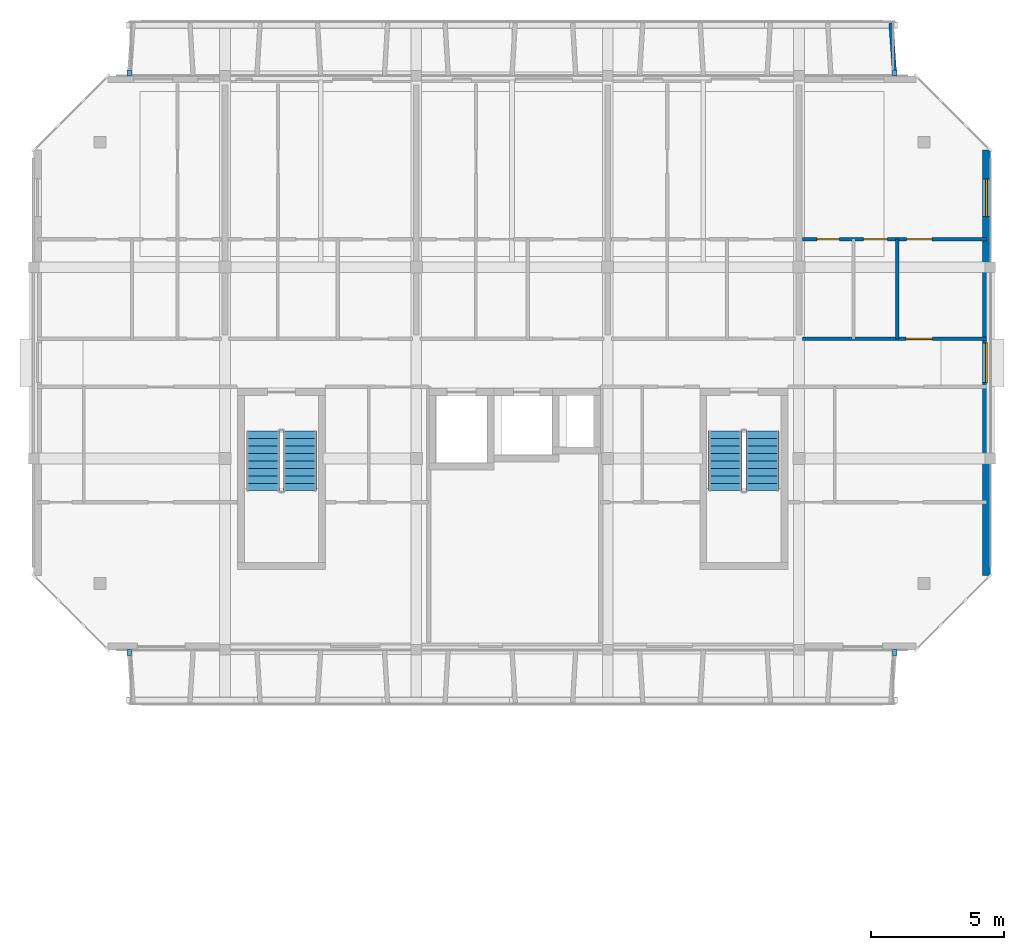
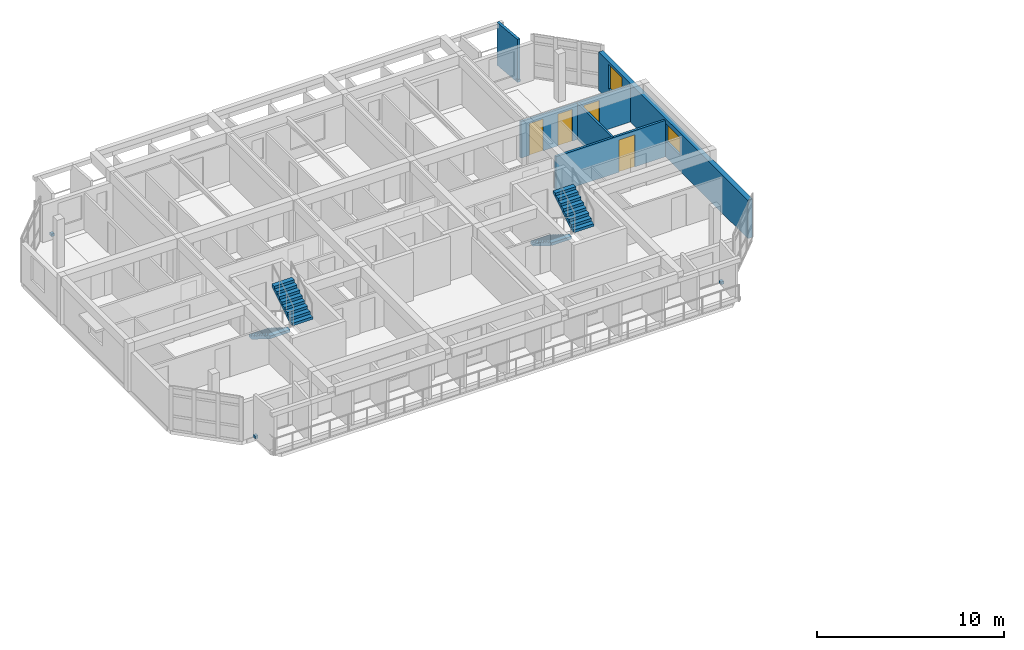
# One storey, part 14 of 19: 5 walls, 4 discrete accessories, 4 doors, 4 stair flights, 2 windows, 6 openings, 2 elements without a shape of their own.
"""IFC4 building model written with IfcOpenShell, lengths in metres."""

from ifc_helpers import new_model, si_unit, direction, frame, frame_2d, origin, origin_2d, place, context, subcontext, project, spatial, polyline, rectangle, outline, extrude, material, layer, layer_set, type_object, element, fill, aggregate, save


model = new_model("IFC4")

# Units and contexts
model_context = context("Model", 3, precision=1e-05, world=origin(), true_north=direction((0.0, 1.0)))
body_context = subcontext(model_context, "Body", "Model", "MODEL_VIEW")
ifc_project = project(units=[si_unit("LENGTHUNIT", "METRE"), si_unit("AREAUNIT", "SQUARE_METRE"), si_unit("VOLUMEUNIT", "CUBIC_METRE"), si_unit("PLANEANGLEUNIT", "RADIAN"), si_unit("MASSUNIT", "GRAM", prefix="KILO")], contexts=[model_context])

# Site, building, storey
site_placement = place(None, origin())
site = spatial("IfcSite", under=ifc_project, at=site_placement, CompositionType="ELEMENT")
building_placement = place(site_placement, origin())
building = spatial("IfcBuilding", under=site, at=building_placement, Name="Ochrevale Crest", CompositionType="ELEMENT")
storey_placement = place(building_placement, frame((0.0, 0.0, 43.35009765625)))
storey = spatial("IfcBuildingStorey", under=building, at=storey_placement, Name="L13", CompositionType="ELEMENT", Elevation=43.35009765625)

# Wall, opening, door
ifc_material_1 = material(Name="Gypsum plasterboard", Category="gypsum")
ifc_layer_1 = layer(ifc_material_1, 0.139892578125)
ifc_layer_set_1 = layer_set([ifc_layer_1], Name="Gypsum plasterboard")
wall_type_1 = type_object("IfcWallType", Name="WL-COR-140", PredefinedType="PARTITIONING", material=ifc_layer_set_1)
wall_1_placement = place(storey_placement, frame((158.5400390625, 83.699951171875, 0.0), z_axis=(0.0, 0.0, 1.0), x_axis=(1.0, 0.0, 0.0)))
wall_1 = element("IfcWall", 1, at=wall_1_placement, inside=storey, type_object=wall_type_1, Name="Apartment D-L13-U5 corridor wall", PredefinedType="PARTITIONING", context=body_context, shape_type="SweptSolid", body=[
    extrude(rectangle(XDim=6.919921875, YDim=0.139892578125, at=frame_2d((3.4599609375, 0.0))), origin(), (0.0, 0.0, 1.0), 2.3798828125),
])
opening_1_placement = place(wall_1_placement, frame((4.875, 0.0, 0.0), z_axis=(0.0, 0.0, 1.0), x_axis=(-1.0, 0.0, 0.0)))
opening_1 = element("IfcOpeningElement", 2, at=opening_1_placement, cuts=wall_1, Name="Opening FD01", PredefinedType="OPENING", context=body_context, shape_type="SweptSolid", body=[
    extrude(rectangle(XDim=0.97998046875, YDim=2.10009765625, at=frame_2d((0.489990234375, 1.050048828125))), frame((0.0, 0.080078125, 0.0), z_axis=(0.0, -1.0, 0.0), x_axis=(1.0, 0.0, 0.0)), (0.0, 0.0, 1.0), 0.159912109375),
])
ifc_material_2 = material(Name="Solid-core FSC hardwood", Category="wood")
door_type_1 = type_object("IfcDoorType", Name="DR-APT-950", OperationType="NOTDEFINED", PredefinedType="DOOR", material=ifc_material_2)
door_1_placement = place(opening_1_placement, origin())
door_1 = element("IfcDoor", 3, at=door_1_placement, inside=storey, type_object=door_type_1, Name="Apartment D-L13-U5 entrance door", OperationType="SINGLE_SWING_RIGHT", OverallHeight=2.10009765625, OverallWidth=0.97998046875, PredefinedType="DOOR", context=body_context, shape_type="SweptSolid", body=[
    extrude(rectangle(XDim=0.97998046875, YDim=2.10009765625, at=frame_2d((0.489990234375, 1.050048828125))), frame((0.0, 0.02490234375, 0.0), z_axis=(0.0, -1.0, 0.0), x_axis=(1.0, 0.0, 0.0)), (0.0, 0.0, 1.0), 0.050048828125),
])
fill(opening_1, door_1)

# Wall, openings, windows
ifc_material_3 = material(Name="Clay face brickwork", Category="masonry")
ifc_layer_2 = layer(ifc_material_3, 0.2900390625)
ifc_layer_set_2 = layer_set([ifc_layer_2], Name="Clay face brickwork")
wall_type_2 = type_object("IfcWallType", Name="WL-EXT-BRICK-290", PredefinedType="SOLIDWALL", material=ifc_layer_set_2)
wall_2_placement = place(storey_placement, frame((165.455078125, 74.800048828125, 0.0), z_axis=(0.0, 0.0, 1.0), x_axis=(0.0, 1.0, 0.0)))
wall_2 = element("IfcWall", 4, at=wall_2_placement, inside=storey, type_object=wall_type_2, Name="Block D L13 external facade wall E3", PredefinedType="SOLIDWALL", context=body_context, shape_type="SweptSolid", body=[
    extrude(rectangle(XDim=16.0, YDim=0.2900390625, at=frame_2d((8.0, 0.0))), origin(), (0.0, 0.0, 1.0), 2.510009765625),
])
opening_2_placement = place(wall_2_placement, frame((7.25, 0.0, 1.050048828125)))
opening_2 = element("IfcOpeningElement", 5, at=opening_2_placement, cuts=wall_2, Name="Opening W18", PredefinedType="OPENING", context=body_context, shape_type="SweptSolid", body=[
    extrude(rectangle(XDim=1.5, YDim=1.14990234375, at=frame_2d((0.75, 0.574951171875))), frame((0.0, 0.155029296875, 0.0), z_axis=(0.0, -1.0, 0.0), x_axis=(1.0, 0.0, 0.0)), (0.0, 0.0, 1.0), 0.31005859375),
])
opening_3_placement = place(wall_2_placement, frame((13.5, 0.0, 0.75)))
opening_3 = element("IfcOpeningElement", 6, at=opening_3_placement, cuts=wall_2, Name="Opening W31", PredefinedType="OPENING", context=body_context, shape_type="SweptSolid", body=[
    extrude(rectangle(XDim=1.419921875, YDim=1.60009765625, at=frame_2d((0.7099609375, 0.800048828125))), frame((0.0, 0.155029296875, 0.0), z_axis=(0.0, -1.0, 0.0), x_axis=(1.0, 0.0, 0.0)), (0.0, 0.0, 1.0), 0.31005859375),
])
ifc_material_4 = material(Name="Anodised aluminium 6063-T5 and low-E double glazing", Category="aluminium")
window_type_1 = type_object("IfcWindowType", Name="WIN-W18", PartitioningType="SINGLE_PANEL", PredefinedType="WINDOW", material=ifc_material_4)
window_1_placement = place(opening_2_placement, origin())
window_1 = element("IfcWindow", 7, at=window_1_placement, inside=storey, type_object=window_type_1, Name="Block D L13 corridor end daylight window E", OverallHeight=1.14990234375, OverallWidth=1.5, PartitioningType="SINGLE_PANEL", PredefinedType="WINDOW", context=body_context, shape_type="SweptSolid", body=[
    extrude(rectangle(XDim=1.5, YDim=1.14990234375, at=frame_2d((0.75, 0.574951171875))), frame((0.0, 0.030029296875, 0.0), z_axis=(0.0, -1.0, 0.0), x_axis=(1.0, 0.0, 0.0)), (0.0, 0.0, 1.0), 0.06005859375),
])
fill(opening_2, window_1)
window_type_2 = type_object("IfcWindowType", Name="WIN-W31", PartitioningType="SINGLE_PANEL", PredefinedType="WINDOW", material=ifc_material_4)
window_2_placement = place(opening_3_placement, origin())
window_2 = element("IfcWindow", 8, at=window_2_placement, inside=storey, type_object=window_type_2, Name="Block D L13 side suite window E", OverallHeight=1.60009765625, OverallWidth=1.419921875, PartitioningType="SINGLE_PANEL", PredefinedType="WINDOW", context=body_context, shape_type="SweptSolid", body=[
    extrude(rectangle(XDim=1.419921875, YDim=1.60009765625, at=frame_2d((0.7099609375, 0.800048828125))), frame((0.0, 0.030029296875, 0.0), z_axis=(0.0, -1.0, 0.0), x_axis=(1.0, 0.0, 0.0)), (0.0, 0.0, 1.0), 0.06005859375),
])
fill(opening_3, window_2)

# Walls
ifc_material_5 = material(Name="Precast concrete C40/50", Category="concrete")
ifc_layer_3 = layer(ifc_material_5, 0.1650390625)
ifc_layer_set_3 = layer_set([ifc_layer_3], Name="Precast concrete C40/50")
wall_type_3 = type_object("IfcWallType", Name="WL-HC-CHEEK-165", PredefinedType="ELEMENTEDWALL", material=ifc_layer_set_3)
wall_3_placement = place(storey_placement, frame((162.0, 93.6201171875, 0.0), z_axis=(0.0, 0.0, 1.0), x_axis=(-0.071194071069, 0.997462482625, 0.0)))
element("IfcWall", 9, at=wall_3_placement, inside=storey, type_object=wall_type_3, Name="Block D L13 N precast honeycomb cheek 13", PredefinedType="ELEMENTEDWALL", context=body_context, shape_type="SweptSolid", body=[
    extrude(rectangle(XDim=1.96484375, YDim=0.1650390625, at=frame_2d((0.982421875, 0.0))), origin(), (0.0, 0.0, 1.0), 2.7998046875),
])
ifc_layer_4 = layer(ifc_material_1, 0.1201171875)
ifc_layer_set_4 = layer_set([ifc_layer_4], Name="Gypsum plasterboard")
wall_type_4 = type_object("IfcWallType", Name="WL-PART-120", PredefinedType="PARTITIONING", material=ifc_layer_set_4)
wall_4_placement = place(storey_placement, frame((162.10009765625, 83.699951171875, 0.0), z_axis=(0.0, 0.0, 1.0), x_axis=(0.0, 1.0, 0.0)))
element("IfcWall", 10, at=wall_4_placement, inside=storey, type_object=wall_type_4, Name="Apartment D-L13-U5 kitchen-foyer wall", PredefinedType="PARTITIONING", context=body_context, shape_type="SweptSolid", body=[
    extrude(rectangle(XDim=3.75, YDim=0.1201171875, at=frame_2d((1.875, 0.0))), origin(), (0.0, 0.0, 1.0), 2.3798828125),
])

# Wall, openings, doors
wall_5_placement = place(storey_placement, frame((158.5400390625, 87.449951171875, 0.0), z_axis=(0.0, 0.0, 1.0), x_axis=(1.0, 0.0, 0.0)))
wall_5 = element("IfcWall", 11, at=wall_5_placement, inside=storey, type_object=wall_type_4, Name="Apartment D-L13-U5 central partition", PredefinedType="PARTITIONING", context=body_context, shape_type="SweptSolid", body=[
    extrude(rectangle(XDim=6.919921875, YDim=0.1201171875, at=frame_2d((3.4599609375, 0.0))), origin(), (0.0, 0.0, 1.0), 2.3798828125),
])
opening_4_placement = place(wall_5_placement, frame((0.530029296875, 0.0, 0.0)))
opening_4 = element("IfcOpeningElement", 12, at=opening_4_placement, cuts=wall_5, Name="Opening ID01", PredefinedType="OPENING", context=body_context, shape_type="SweptSolid", body=[
    extrude(rectangle(XDim=0.85009765625, YDim=2.080078125, at=frame_2d((0.425048828125, 1.0400390625))), frame((0.0, 0.070068359375, 0.0), z_axis=(0.0, -1.0, 0.0), x_axis=(1.0, 0.0, 0.0)), (0.0, 0.0, 1.0), 0.14013671875),
])
opening_5_placement = place(wall_5_placement, frame((3.184814453125, 0.0, 0.0), z_axis=(0.0, 0.0, 1.0), x_axis=(-1.0, 0.0, 0.0)))
opening_5 = element("IfcOpeningElement", 13, at=opening_5_placement, cuts=wall_5, Name="Opening ID02", PredefinedType="OPENING", context=body_context, shape_type="SweptSolid", body=[
    extrude(rectangle(XDim=0.89990234375, YDim=2.080078125, at=frame_2d((0.449951171875, 1.0400390625))), frame((0.0, 0.070068359375, 0.0), z_axis=(0.0, -1.0, 0.0), x_axis=(1.0, 0.0, 0.0)), (0.0, 0.0, 1.0), 0.14013671875),
])
opening_6_placement = place(wall_5_placement, frame((3.909912109375, 0.0, 0.0)))
opening_6 = element("IfcOpeningElement", 14, at=opening_6_placement, cuts=wall_5, Name="Opening ID06", PredefinedType="OPENING", context=body_context, shape_type="SweptSolid", body=[
    extrude(rectangle(XDim=0.949951171875, YDim=2.080078125, at=frame_2d((0.47509765625, 1.0400390625))), frame((0.0, 0.070068359375, 0.0), z_axis=(0.0, -1.0, 0.0), x_axis=(1.0, 0.0, 0.0)), (0.0, 0.0, 1.0), 0.14013671875),
])
door_type_2 = type_object("IfcDoorType", Name="DR-INT-900", OperationType="NOTDEFINED", PredefinedType="DOOR", material=ifc_material_2)
door_2_placement = place(opening_5_placement, origin())
door_2 = element("IfcDoor", 15, at=door_2_placement, inside=storey, type_object=door_type_2, Name="Apartment D-L13-U5 Kitchen door", OperationType="SINGLE_SWING_RIGHT", OverallHeight=2.080078125, OverallWidth=0.89990234375, PredefinedType="DOOR", context=body_context, shape_type="SweptSolid", body=[
    extrude(rectangle(XDim=0.89990234375, YDim=2.080078125, at=frame_2d((0.449951171875, 1.0400390625))), frame((0.0, 0.02490234375, 0.0), z_axis=(0.0, -1.0, 0.0), x_axis=(1.0, 0.0, 0.0)), (0.0, 0.0, 1.0), 0.050048828125),
])
fill(opening_5, door_2)
door_type_3 = type_object("IfcDoorType", Name="DR-INT-950", OperationType="NOTDEFINED", PredefinedType="DOOR", material=ifc_material_2)
door_3_placement = place(opening_6_placement, origin())
door_3 = element("IfcDoor", 16, at=door_3_placement, inside=storey, type_object=door_type_3, Name="Apartment D-L13-U5 Living Foyer door", OperationType="SINGLE_SWING_LEFT", OverallHeight=2.080078125, OverallWidth=0.949951171875, PredefinedType="DOOR", context=body_context, shape_type="SweptSolid", body=[
    extrude(rectangle(XDim=0.949951171875, YDim=2.080078125, at=frame_2d((0.47509765625, 1.0400390625))), frame((0.0, 0.02490234375, 0.0), z_axis=(0.0, -1.0, 0.0), x_axis=(1.0, 0.0, 0.0)), (0.0, 0.0, 1.0), 0.050048828125),
])
fill(opening_6, door_3)
door_type_4 = type_object("IfcDoorType", Name="DR-WC-850", OperationType="NOTDEFINED", PredefinedType="DOOR", material=ifc_material_2)
door_4_placement = place(opening_4_placement, origin())
door_4 = element("IfcDoor", 17, at=door_4_placement, inside=storey, type_object=door_type_4, Name="Apartment D-L13-U5 Bathroom door", OperationType="SINGLE_SWING_LEFT", OverallHeight=2.080078125, OverallWidth=0.85009765625, PredefinedType="DOOR", context=body_context, shape_type="SweptSolid", body=[
    extrude(rectangle(XDim=0.85009765625, YDim=2.080078125, at=frame_2d((0.425048828125, 1.0400390625))), frame((0.0, 0.02490234375, 0.0), z_axis=(0.0, -1.0, 0.0), x_axis=(1.0, 0.0, 0.0)), (0.0, 0.0, 1.0), 0.050048828125),
])
fill(opening_4, door_4)

# Stair, stair flights
stair_type = type_object("IfcStairType", Name="ST-CORE-DOG", PredefinedType="HALF_TURN_STAIR", material=ifc_material_5)
stair_1_placement = place(storey_placement, origin())
stair_1 = element("IfcStair", 18, at=stair_1_placement, inside=storey, type_object=stair_type, Name="L13 Block D Fire Stair 1", PredefinedType="HALF_TURN_STAIR")
stair_flight_type = type_object("IfcStairFlightType", Name="SFL-CORE-125", PredefinedType="STRAIGHT", material=ifc_material_5)
stair_flight_1_placement = place(storey_placement, frame((138.22509765625, 80.22509765625, 0.0), z_axis=(0.0, 0.0, 1.0), x_axis=(0.0, -1.0, 0.0)))
stair_flight_1 = element("IfcStairFlight", 19, at=stair_flight_1_placement, type_object=stair_flight_type, Name="ST-D1 flight 1", NumberOfRisers=9, NumberOfTreads=8, PredefinedType="STRAIGHT", RiserHeight=0.175, TreadLength=0.28, context=body_context, shape_type="SweptSolid", body=[
    extrude(outline(polyline([(0.0, 0.0), (0.0, 0.175048828125), (0.280029296875, 0.175048828125), (0.280029296875, 0.35009765625), (0.56005859375, 0.35009765625), (0.56005859375, 0.52490234375), (0.840087890625, 0.52490234375), (0.840087890625, 0.699951171875), (1.1201171875, 0.699951171875), (1.1201171875, 0.875), (1.39990234375, 0.875), (1.39990234375, 1.050048828125), (1.679931640625, 1.050048828125), (1.679931640625, 1.22509765625), (1.9599609375, 1.22509765625), (1.9599609375, 1.39990234375), (2.239990234375, 1.39990234375), (2.239990234375, 1.574951171875), (2.239990234375, 1.22314453125), (0.28271484375, 0.0), (0.0, 0.0)])), frame((0.0, 0.625, 0.0), z_axis=(0.0, -1.0, 0.0), x_axis=(1.0, 0.0, 0.0)), (0.0, 0.0, 1.0), 1.25),
])
stair_flight_2_placement = place(storey_placement, frame((139.625, 77.985107421875, 1.574951171875), z_axis=(0.0, 0.0, 1.0), x_axis=(0.0, 1.0, 0.0)))
stair_flight_2 = element("IfcStairFlight", 20, at=stair_flight_2_placement, type_object=stair_flight_type, Name="ST-D1 flight 2", NumberOfRisers=9, NumberOfTreads=8, PredefinedType="STRAIGHT", RiserHeight=0.175, TreadLength=0.28, context=body_context, shape_type="SweptSolid", body=[
    extrude(outline(polyline([(0.0, 0.0), (0.0, 0.175048828125), (0.280029296875, 0.175048828125), (0.280029296875, 0.35009765625), (0.56005859375, 0.35009765625), (0.56005859375, 0.52490234375), (0.840087890625, 0.52490234375), (0.840087890625, 0.699951171875), (1.1201171875, 0.699951171875), (1.1201171875, 0.875), (1.39990234375, 0.875), (1.39990234375, 1.050048828125), (1.679931640625, 1.050048828125), (1.679931640625, 1.22509765625), (1.9599609375, 1.22509765625), (1.9599609375, 1.39990234375), (2.239990234375, 1.39990234375), (2.239990234375, 1.574951171875), (2.239990234375, 1.22314453125), (0.28271484375, 0.0), (0.0, 0.0)])), frame((0.0, 0.625, 0.0), z_axis=(0.0, -1.0, 0.0), x_axis=(1.0, 0.0, 0.0)), (0.0, 0.0, 1.0), 1.25),
])
aggregate(stair_1, [stair_flight_1, stair_flight_2])

stair_2_placement = place(storey_placement, origin())
stair_2 = element("IfcStair", 21, at=stair_2_placement, inside=storey, type_object=stair_type, Name="L13 Block D Fire Stair 2", PredefinedType="HALF_TURN_STAIR")
stair_flight_3_placement = place(storey_placement, frame((155.625, 80.22509765625, 0.0), z_axis=(0.0, 0.0, 1.0), x_axis=(0.0, -1.0, 0.0)))
stair_flight_3 = element("IfcStairFlight", 22, at=stair_flight_3_placement, type_object=stair_flight_type, Name="ST-D2 flight 1", NumberOfRisers=9, NumberOfTreads=8, PredefinedType="STRAIGHT", RiserHeight=0.175, TreadLength=0.28, context=body_context, shape_type="SweptSolid", body=[
    extrude(outline(polyline([(0.0, 0.0), (0.0, 0.175048828125), (0.280029296875, 0.175048828125), (0.280029296875, 0.35009765625), (0.56005859375, 0.35009765625), (0.56005859375, 0.52490234375), (0.840087890625, 0.52490234375), (0.840087890625, 0.699951171875), (1.1201171875, 0.699951171875), (1.1201171875, 0.875), (1.39990234375, 0.875), (1.39990234375, 1.050048828125), (1.679931640625, 1.050048828125), (1.679931640625, 1.22509765625), (1.9599609375, 1.22509765625), (1.9599609375, 1.39990234375), (2.239990234375, 1.39990234375), (2.239990234375, 1.574951171875), (2.239990234375, 1.22314453125), (0.28271484375, 0.0), (0.0, 0.0)])), frame((0.0, 0.625, 0.0), z_axis=(0.0, -1.0, 0.0), x_axis=(1.0, 0.0, 0.0)), (0.0, 0.0, 1.0), 1.25),
])
stair_flight_4_placement = place(storey_placement, frame((157.02490234375, 77.985107421875, 1.574951171875), z_axis=(0.0, 0.0, 1.0), x_axis=(0.0, 1.0, 0.0)))
stair_flight_4 = element("IfcStairFlight", 23, at=stair_flight_4_placement, type_object=stair_flight_type, Name="ST-D2 flight 2", NumberOfRisers=9, NumberOfTreads=8, PredefinedType="STRAIGHT", RiserHeight=0.175, TreadLength=0.28, context=body_context, shape_type="SweptSolid", body=[
    extrude(outline(polyline([(0.0, 0.0), (0.0, 0.175048828125), (0.280029296875, 0.175048828125), (0.280029296875, 0.35009765625), (0.56005859375, 0.35009765625), (0.56005859375, 0.52490234375), (0.840087890625, 0.52490234375), (0.840087890625, 0.699951171875), (1.1201171875, 0.699951171875), (1.1201171875, 0.875), (1.39990234375, 0.875), (1.39990234375, 1.050048828125), (1.679931640625, 1.050048828125), (1.679931640625, 1.22509765625), (1.9599609375, 1.22509765625), (1.9599609375, 1.39990234375), (2.239990234375, 1.39990234375), (2.239990234375, 1.574951171875), (2.239990234375, 1.22314453125), (0.28271484375, 0.0), (0.0, 0.0)])), frame((0.0, 0.625, 0.0), z_axis=(0.0, -1.0, 0.0), x_axis=(1.0, 0.0, 0.0)), (0.0, 0.0, 1.0), 1.25),
])
aggregate(stair_2, [stair_flight_3, stair_flight_4])

# Discrete accessories
ifc_material_6 = material(Name="Galvanised steel", Category="steel")
discrete_accessory_type = type_object("IfcDiscreteAccessoryType", Name="ACC-BRK-HC", PredefinedType="BRACKET", material=ifc_material_6)
for number, where, z_axis, x_axis, name in (
    (24, (133.199951171875, 71.89990234375, 0.0), (0.0, 0.0, 1.0), (1.0, 0.0, 0.0), "Block D L13 precast loggia corbel bracket"),
    (25, (162.0, 71.89990234375, 0.0), (0.0, 0.0, 1.0), (1.0, 0.0, 0.0), "Block D L13 precast loggia corbel bracket"),
    (26, (133.199951171875, 93.699951171875, 0.0), (0.0, 0.0, 1.0), (1.0, 0.0, 0.0), "Block D L13 precast loggia corbel bracket"),
    (27, (162.0, 93.699951171875, 0.0), (0.0, 0.0, 1.0), (1.0, 0.0, 0.0), "Block D L13 precast loggia corbel bracket"),
):
    element("IfcDiscreteAccessory", number, at=place(storey_placement, frame(where, z_axis=z_axis, x_axis=x_axis)), inside=storey, type_object=discrete_accessory_type, Name=name, PredefinedType="BRACKET", context=body_context, shape_type="SweptSolid", body=[
        extrude(rectangle(XDim=0.179931640625, YDim=0.219970703125, at=origin_2d()), origin(), (0.0, 0.0, 1.0), 0.179931640625),
    ])

save(model, "model.ifc")
